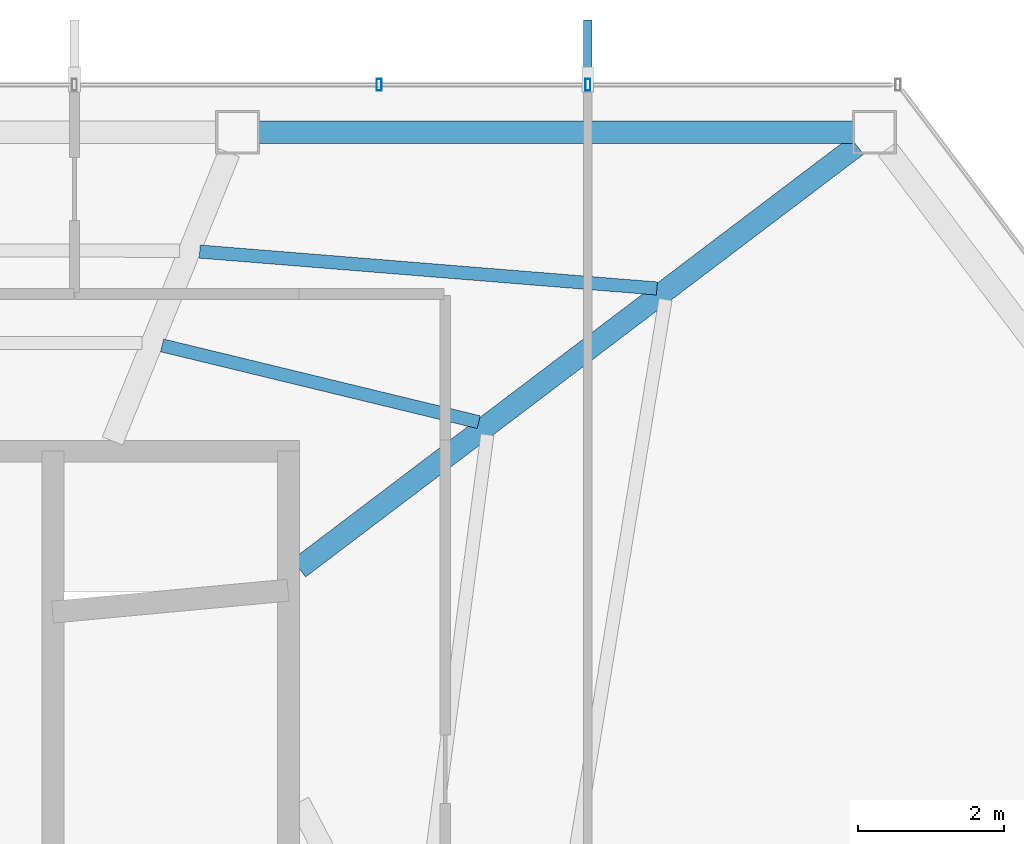
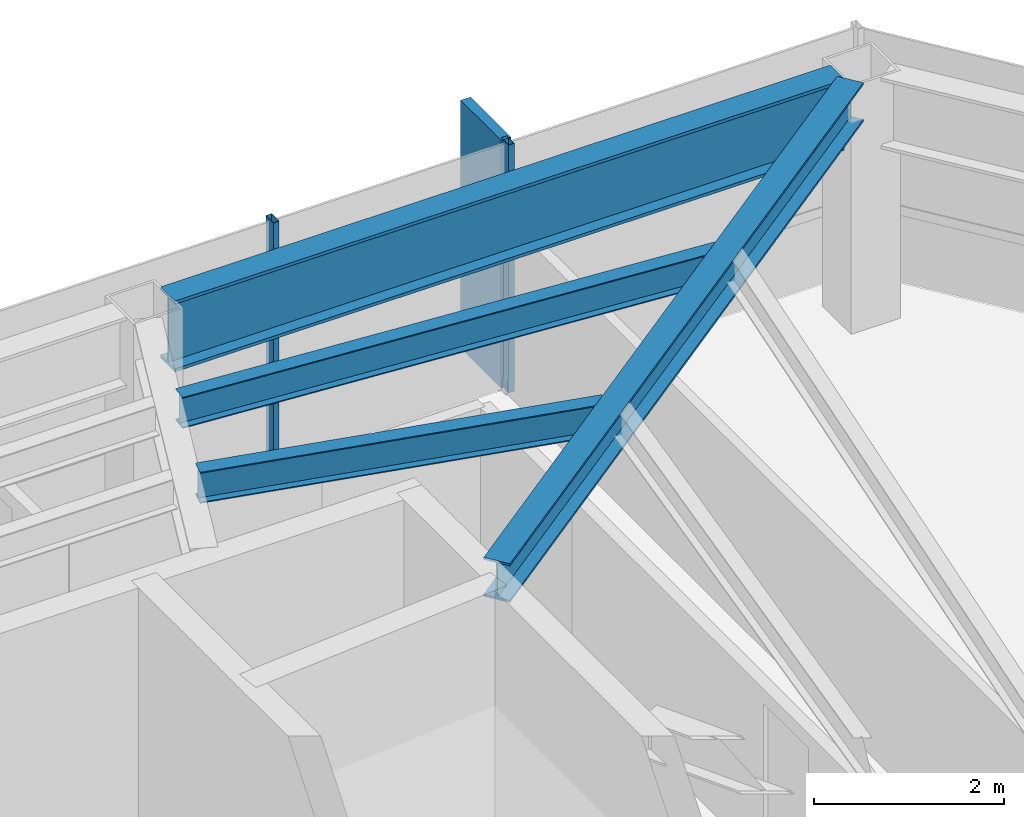
# One storey, part 19 of 25: 4 beams, 3 members, 1 element without a shape of its own.
"""IFC4 building model written with IfcOpenShell, lengths in metres."""

from ifc_helpers import new_model, si_unit, direction, frame, origin, origin_2d, place, context, subcontext, project, spatial, rectangle, hollow_rectangle, i_section, extrude, material, layer, layer_set, material_profile, profile_set, type_object, element, aggregate, save


model = new_model("IFC4")

# Units and contexts
model_context = context("Model", 3, precision=1e-05, world=origin(), true_north=direction((0.0, 1.0)))
body_context = subcontext(model_context, "Body", "Model", "MODEL_VIEW")
ifc_project = project(units=[si_unit("LENGTHUNIT", "METRE"), si_unit("AREAUNIT", "SQUARE_METRE"), si_unit("VOLUMEUNIT", "CUBIC_METRE"), si_unit("PLANEANGLEUNIT", "RADIAN"), si_unit("MASSUNIT", "GRAM", prefix="KILO")], contexts=[model_context])

# Site, building, storey
site_placement = place(None, origin())
site = spatial("IfcSite", under=ifc_project, at=site_placement, CompositionType="ELEMENT")
building_placement = place(site_placement, origin())
building = spatial("IfcBuilding", under=site, at=building_placement, Name="Zarrinselat Tower", CompositionType="ELEMENT")
storey_placement = place(building_placement, frame((0.0, 0.0, 212.159912109375)))
storey = spatial("IfcBuildingStorey", under=building, at=storey_placement, Name="L52", CompositionType="ELEMENT", Elevation=212.159912109375)

# Beams
ifc_material_1 = material(Name="Steel S355J2", Category="steel")
ifc_material_profile_1 = material_profile(ifc_material_1, i_section(OverallWidth=0.300048828125, OverallDepth=0.5, WebThickness=0.014404296875, FlangeThickness=0.028076171875, at=origin_2d()), Name="HEB 500")
ifc_profile_set_1 = profile_set([ifc_material_profile_1], Name="Steel S355J2")
beam_type_1 = type_object("IfcBeamType", Name="BM-HEB500", PredefinedType="BEAM", material=ifc_profile_set_1)
beam_1_placement = place(storey_placement, frame((48.35009765625, 41.800048828125, 2.93017578125), z_axis=(0.797082100563, 0.603870950586, 0.0), x_axis=(-0.603870950586, 0.797082100563, 0.0)))
element("IfcBeam", 1, at=beam_1_placement, inside=storey, type_object=beam_type_1, Name="L52 Radial Primary Girder RG01", PredefinedType="BEAM", context=body_context, shape_type="SweptSolid", body=[
    extrude(i_section(OverallWidth=0.300048828125, OverallDepth=0.5, WebThickness=0.014404296875, FlangeThickness=0.028076171875, at=origin_2d()), origin(), (0.0, 0.0, 1.0), 9.569091796875),
])
ifc_material_2 = material(Name="Steel S460M", Category="steel")
ifc_material_profile_2 = material_profile(ifc_material_2, i_section(OverallWidth=0.302001953125, OverallDepth=0.909912109375, WebThickness=0.02099609375, FlangeThickness=0.0400390625, at=origin_2d()), Name="HEM 900")
ifc_profile_set_2 = profile_set([ifc_material_profile_2], Name="Steel S460M")
beam_type_2 = type_object("IfcBeamType", Name="BM-HEM900", PredefinedType="BEAM", material=ifc_profile_set_2)
beam_2_placement = place(storey_placement, frame((47.798095703125, 47.760986328125, 2.72509765625), z_axis=(1.0, 0.0, 0.0), x_axis=(0.0, 1.0, 0.0)))
element("IfcBeam", 2, at=beam_2_placement, inside=storey, type_object=beam_type_2, Name="L52 Perimeter Spandrel Girder SP01", PredefinedType="BEAM", context=body_context, shape_type="SweptSolid", body=[
    extrude(i_section(OverallWidth=0.302001953125, OverallDepth=0.909912109375, WebThickness=0.02099609375, FlangeThickness=0.0400390625, at=origin_2d()), origin(), (0.0, 0.0, 1.0), 8.132080078125),
])
ifc_material_3 = material(Name="Steel S355J2", Category="steel")
ifc_material_profile_3 = material_profile(ifc_material_3, i_section(OverallWidth=0.179931640625, OverallDepth=0.39990234375, WebThickness=0.008544921875, FlangeThickness=0.013427734375, at=origin_2d()), Name="IPE 400")
ifc_profile_set_3 = profile_set([ifc_material_profile_3], Name="Steel S355J2")
beam_type_3 = type_object("IfcBeamType", Name="BM-IPE400", PredefinedType="JOIST", material=ifc_profile_set_3)
beam_3_placement = place(storey_placement, frame((46.993408203125, 46.1298828125, 2.97998046875), z_axis=(0.996757462047, -0.080464662138, 0.0), x_axis=(0.080464662138, 0.996757462047, 0.0)))
element("IfcBeam", 3, at=beam_3_placement, inside=storey, type_object=beam_type_3, Name="L52 Composite Floor Joist 6-1", PredefinedType="JOIST", context=body_context, shape_type="SweptSolid", body=[
    extrude(i_section(OverallWidth=0.179931640625, OverallDepth=0.39990234375, WebThickness=0.008544921875, FlangeThickness=0.013427734375, at=origin_2d()), origin(), (0.0, 0.0, 1.0), 6.271484375),
])
beam_4_placement = place(storey_placement, frame((46.47900390625, 44.846923828125, 2.97998046875), z_axis=(0.971849344998, -0.23560316345, 0.0), x_axis=(0.23560316345, 0.971849344998, 0.0)))
element("IfcBeam", 4, at=beam_4_placement, inside=storey, type_object=beam_type_3, Name="L52 Composite Floor Joist 6-2", PredefinedType="JOIST", context=body_context, shape_type="SweptSolid", body=[
    extrude(i_section(OverallWidth=0.179931640625, OverallDepth=0.39990234375, WebThickness=0.008544921875, FlangeThickness=0.013427734375, at=origin_2d()), origin(), (0.0, 0.0, 1.0), 4.453857421875),
])

# Curtain wall, members
ifc_material_4 = material(Name="Extruded Aluminium Alloy EN AW-6063 T6", Category="aluminium")
ifc_layer = layer(ifc_material_4, 0.169921875)
ifc_layer_set = layer_set([ifc_layer], Name="Extruded Aluminium Alloy EN AW-6063 T6")
curtain_wall_type = type_object("IfcCurtainWallType", Name="CWS-RES", PredefinedType="NOTDEFINED", material=ifc_layer_set)
curtain_wall_placement = place(storey_placement, origin())
curtain_wall = element("IfcCurtainWall", 5, at=curtain_wall_placement, inside=storey, type_object=curtain_wall_type, Name="L52 Unitised Curtain Wall CW-L52-E01", PredefinedType="NOTDEFINED")
ifc_material_5 = material(Name="Extruded Aluminium Alloy EN AW-6063 T6", Category="aluminium")
ifc_material_profile_4 = material_profile(ifc_material_5, hollow_rectangle(XDim=0.070068359375, YDim=0.159912109375, WallThickness=0.00390625, at=origin_2d()), Name="RHS 160x70x4")
ifc_profile_set_4 = profile_set([ifc_material_profile_4], Name="Extruded Aluminium Alloy EN AW-6063 T6")
member_type_1 = type_object("IfcMemberType", Name="MEM-CW-MUL2", PredefinedType="MULLION", material=ifc_profile_set_4)
member_1_placement = place(storey_placement, frame((52.300048828125, 48.4111328125, 0.0), z_axis=(0.0, 0.0, 1.0), x_axis=(-1.0, 0.0, 0.0)))
member_1 = element("IfcMember", 6, at=member_1_placement, type_object=member_type_1, Name="CW-L52-E01 Mullion 1", PredefinedType="MULLION", context=body_context, shape_type="SweptSolid", body=[
    extrude(hollow_rectangle(XDim=0.070068359375, YDim=0.159912109375, WallThickness=0.00390625, at=origin_2d()), origin(), (0.0, 0.0, 1.0), 3.18017578125),
])
member_2_placement = place(storey_placement, frame((49.445556640625, 48.4111328125, 0.0), z_axis=(0.0, 0.0, 1.0), x_axis=(-1.0, 0.0, 0.0)))
member_2 = element("IfcMember", 7, at=member_2_placement, type_object=member_type_1, Name="CW-L52-E01 Mullion 2", PredefinedType="MULLION", context=body_context, shape_type="SweptSolid", body=[
    extrude(hollow_rectangle(XDim=0.070068359375, YDim=0.159912109375, WallThickness=0.00390625, at=origin_2d()), origin(), (0.0, 0.0, 1.0), 3.18017578125),
])
ifc_material_6 = material(Name="Honed Cream Travertine Stone", Category="masonry")
ifc_material_profile_5 = material_profile(ifc_material_6, rectangle(XDim=0.1201171875, YDim=0.85009765625, at=origin_2d()), Name="FIN 850x120")
ifc_profile_set_5 = profile_set([ifc_material_profile_5], Name="Honed Cream Travertine Stone")
member_type_2 = type_object("IfcMemberType", Name="MEM-STONE-FIN", PredefinedType="USERDEFINED", material=ifc_profile_set_5)
member_3_placement = place(storey_placement, frame((52.300048828125, 48.87109375, 0.0), z_axis=(0.0, 0.0, 1.0), x_axis=(1.0, 0.0, 0.0)))
member_3 = element("IfcMember", 8, at=member_3_placement, type_object=member_type_2, Name="L52 Stone Shading Fin CW-L52-E01-01", ObjectType="FIN", PredefinedType="USERDEFINED", context=body_context, shape_type="SweptSolid", body=[
    extrude(rectangle(XDim=0.1201171875, YDim=0.85009765625, at=origin_2d()), origin(), (0.0, 0.0, 1.0), 3.18017578125),
])
aggregate(curtain_wall, [member_1, member_3, member_2])

save(model, "model.ifc")
